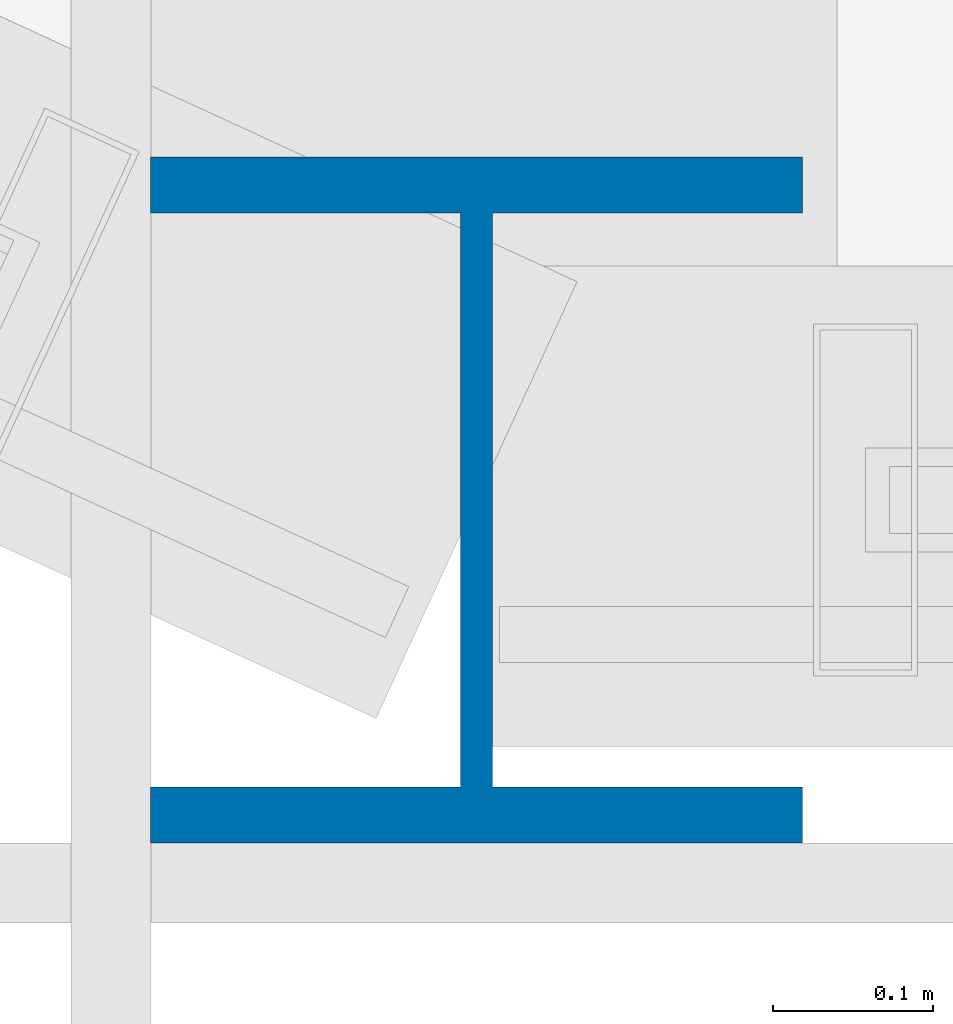
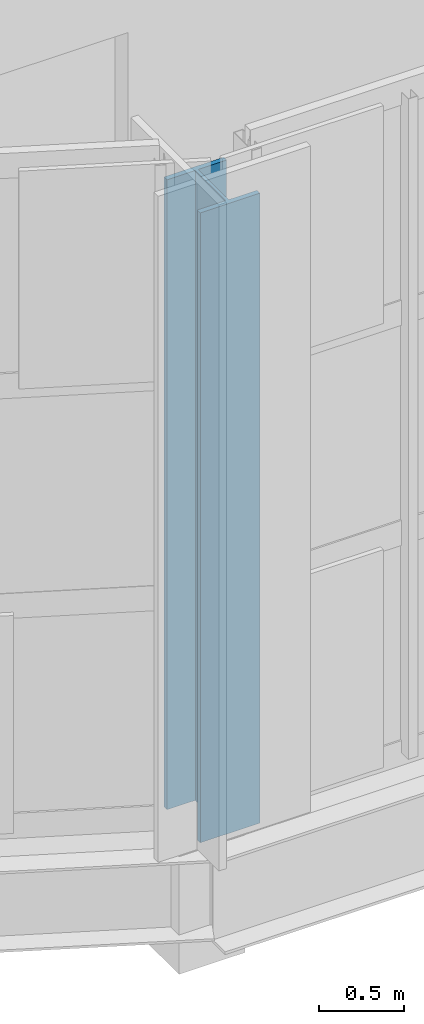
# One storey, part 2 of 46: 1 column.
"""IFC4 building model written with IfcOpenShell, lengths in metres."""

from ifc_helpers import new_model, si_unit, direction, frame, origin, origin_2d, place, context, subcontext, project, spatial, i_section, extrude, material, material_profile, profile_set, type_object, element, save


model = new_model("IFC4")

# Units and contexts
model_context = context("Model", 3, precision=1e-05, world=origin(), true_north=direction((0.0, 1.0)))
body_context = subcontext(model_context, "Body", "Model", "MODEL_VIEW")
ifc_project = project(units=[si_unit("LENGTHUNIT", "METRE"), si_unit("AREAUNIT", "SQUARE_METRE"), si_unit("VOLUMEUNIT", "CUBIC_METRE"), si_unit("PLANEANGLEUNIT", "RADIAN"), si_unit("MASSUNIT", "GRAM", prefix="KILO")], contexts=[model_context])

# Site, building, storey
site_placement = place(None, origin())
site = spatial("IfcSite", under=ifc_project, at=site_placement, CompositionType="ELEMENT")
building_placement = place(site_placement, origin())
building = spatial("IfcBuilding", under=site, at=building_placement, Name="Solvikara Media Centre", CompositionType="ELEMENT")
storey_placement = place(building_placement, frame((0.0, 0.0, 24.60009765625)))
storey = spatial("IfcBuildingStorey", under=building, at=storey_placement, Name="L05", CompositionType="ELEMENT", Elevation=24.60009765625)

# Column
ifc_material = material(Name="Steel S355JR", Category="steel")
ifc_material_profile = material_profile(ifc_material, i_section(OverallWidth=0.406982421875, OverallDepth=0.427978515625, WebThickness=0.02001953125, FlangeThickness=0.034912109375, at=origin_2d()), Name="H 428x407x20x35")
ifc_profile_set = profile_set([ifc_material_profile], Name="Steel S355JR")
column_type = type_object("IfcColumnType", Name="CL-20", PredefinedType="COLUMN", material=ifc_profile_set)
column_placement = place(storey_placement, frame((127.5, 19.323974609375, 0.0), z_axis=(0.0, 0.0, 1.0), x_axis=(1.0, 0.0, 0.0)))
element("IfcColumn", 1, at=column_placement, inside=storey, type_object=column_type, Name="C-L05-1275-0193", PredefinedType="COLUMN", context=body_context, shape_type="SweptSolid", body=[
    extrude(i_section(OverallWidth=0.406982421875, OverallDepth=0.427978515625, WebThickness=0.02001953125, FlangeThickness=0.034912109375, at=origin_2d()), origin(), (0.0, 0.0, 1.0), 4.539794921875),
])

save(model, "model.ifc")
